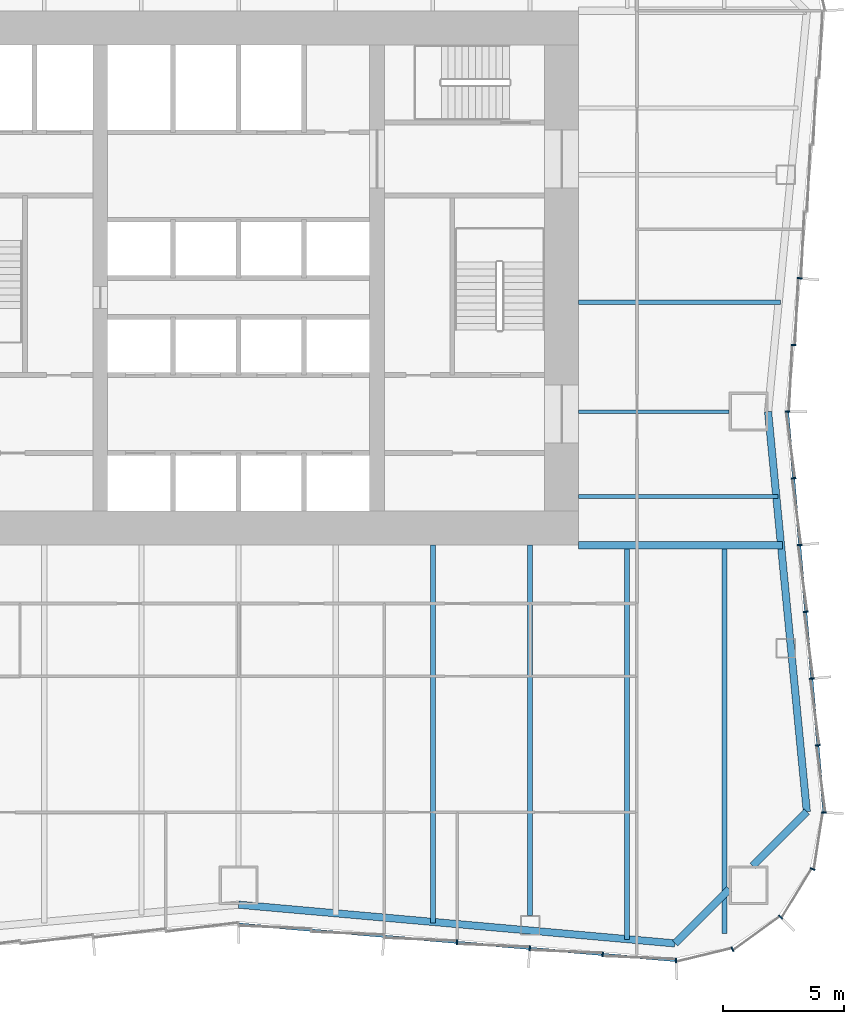
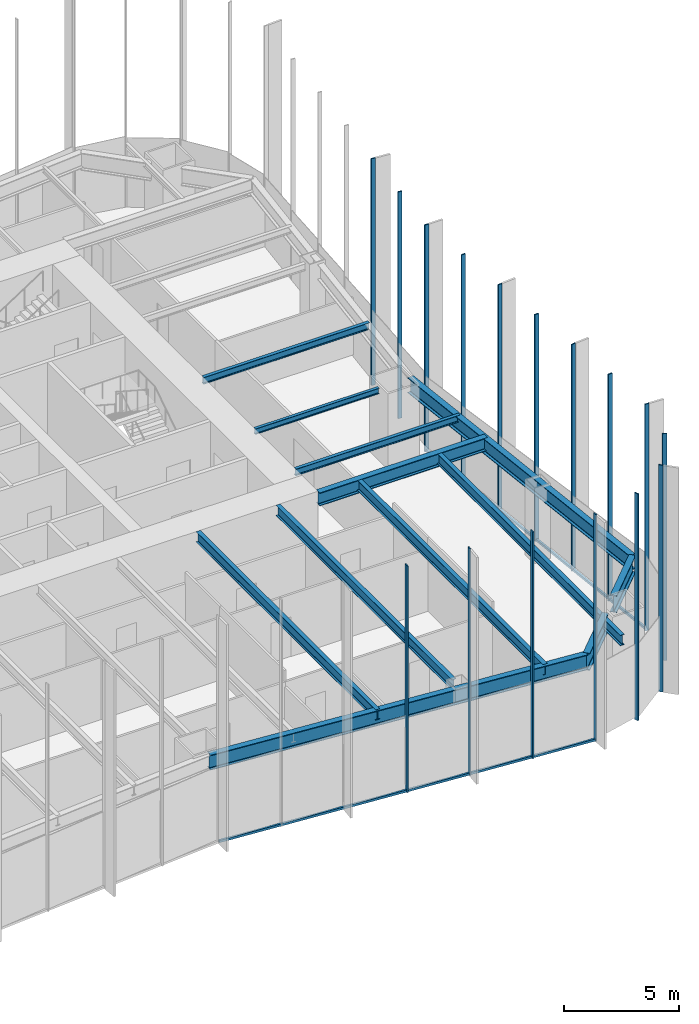
# One storey, part 4 of 13: 18 members, 12 beams, 3 elements without a shape of their own.
"""IFC4 building model written with IfcOpenShell, lengths in metres."""

from ifc_helpers import new_model, si_unit, direction, frame, origin, origin_2d, place, context, subcontext, project, spatial, rectangle, i_section, extrude, material, material_profile, profile_set, type_object, element, aggregate, save


model = new_model("IFC4")

# Units and contexts
model_context = context("Model", 3, precision=1e-05, world=origin(), true_north=direction((0.0, 1.0)))
body_context = subcontext(model_context, "Body", "Model", "MODEL_VIEW")
ifc_project = project(units=[si_unit("LENGTHUNIT", "METRE"), si_unit("AREAUNIT", "SQUARE_METRE"), si_unit("VOLUMEUNIT", "CUBIC_METRE"), si_unit("PLANEANGLEUNIT", "RADIAN"), si_unit("MASSUNIT", "GRAM", prefix="KILO")], contexts=[model_context])

# Site, building, storey
site_placement = place(None, origin())
site = spatial("IfcSite", under=ifc_project, at=site_placement, CompositionType="ELEMENT")
building_placement = place(site_placement, origin())
building = spatial("IfcBuilding", under=site, at=building_placement, Name="Verdant Reach Tower", CompositionType="ELEMENT")
storey_placement = place(building_placement, frame((0.0, 0.0, 14.0)))
storey = spatial("IfcBuildingStorey", under=building, at=storey_placement, Name="L02", CompositionType="ELEMENT", Elevation=14.0)

# Curtain wall, members
ifc_material_1 = material(Name="Anodised aluminium", Category="aluminium")
curtain_wall_type = type_object("IfcCurtainWallType", Name="EN-CW SYSTEM Z0", PredefinedType="NOTDEFINED", material=ifc_material_1)
curtain_wall_1_placement = place(storey_placement, origin())
curtain_wall_1 = element("IfcCurtainWall", 1, at=curtain_wall_1_placement, inside=storey, type_object=curtain_wall_type, Name="Curtain wall south-east corner, L02", PredefinedType="NOTDEFINED")
ifc_material_profile_1 = material_profile(ifc_material_1, rectangle(XDim=0.199951171875, YDim=0.06005859375, at=origin_2d()), Name="Mullion 60x200")
ifc_profile_set_1 = profile_set([ifc_material_profile_1], Name="Anodised aluminium")
member_type_1 = type_object("IfcMemberType", Name="EN-MULLION Z0", PredefinedType="MULLION", material=ifc_profile_set_1)
member_1_placement = place(storey_placement, frame((18.005615234375, -0.099853515625, -0.35009765625), z_axis=(0.0, 0.0, 1.0), x_axis=(0.056569187765, -0.998398681387, 0.0)))
member_1 = element("IfcMember", 2, at=member_1_placement, type_object=member_type_1, Name="Mullion south-east corner 1, L02", PredefinedType="MULLION", context=body_context, shape_type="SweptSolid", body=[
    extrude(rectangle(XDim=0.199951171875, YDim=0.06005859375, at=origin_2d()), origin(), (0.0, 0.0, 1.0), 12.0),
])
member_2_placement = place(storey_placement, frame((20.33447265625, 0.3642578125, -0.35009765625), z_axis=(0.0, 0.0, 1.0), x_axis=(0.382693853776, -0.923875215753, 0.0)))
member_2 = element("IfcMember", 3, at=member_2_placement, type_object=member_type_1, Name="Mullion south-east corner 2, L02", PredefinedType="MULLION", context=body_context, shape_type="SweptSolid", body=[
    extrude(rectangle(XDim=0.199951171875, YDim=0.06005859375, at=origin_2d()), origin(), (0.0, 0.0, 1.0), 12.0),
])
member_3_placement = place(storey_placement, frame((22.313232421875, 1.686767578125, -0.35009765625), z_axis=(0.0, 0.0, 1.0), x_axis=(0.707106781187, -0.707106781187, 0.0)))
member_3 = element("IfcMember", 4, at=member_3_placement, type_object=member_type_1, Name="Mullion south-east corner 3, L02", PredefinedType="MULLION", context=body_context, shape_type="SweptSolid", body=[
    extrude(rectangle(XDim=0.199951171875, YDim=0.06005859375, at=origin_2d()), origin(), (0.0, 0.0, 1.0), 12.0),
])
member_4_placement = place(storey_placement, frame((23.6357421875, 3.66552734375, -0.35009765625), z_axis=(0.0, 0.0, 1.0), x_axis=(0.923875215753, -0.382693853776, 0.0)))
member_4 = element("IfcMember", 5, at=member_4_placement, type_object=member_type_1, Name="Mullion south-east corner 4, L02", PredefinedType="MULLION", context=body_context, shape_type="SweptSolid", body=[
    extrude(rectangle(XDim=0.199951171875, YDim=0.06005859375, at=origin_2d()), origin(), (0.0, 0.0, 1.0), 12.0),
])
aggregate(curtain_wall_1, [member_1, member_2, member_3, member_4])

curtain_wall_2_placement = place(storey_placement, origin())
curtain_wall_2 = element("IfcCurtainWall", 6, at=curtain_wall_2_placement, inside=storey, type_object=curtain_wall_type, Name="Curtain wall east, L02", PredefinedType="NOTDEFINED")
member_5_placement = place(storey_placement, frame((24.099853515625, 5.99462890625, -0.35009765625), z_axis=(0.0, 0.0, 1.0), x_axis=(0.998604288049, -0.052815489107, 0.0)))
member_5 = element("IfcMember", 7, at=member_5_placement, type_object=member_type_1, Name="Mullion east face part 1 1, L02", PredefinedType="MULLION", context=body_context, shape_type="SweptSolid", body=[
    extrude(rectangle(XDim=0.199951171875, YDim=0.06005859375, at=origin_2d()), origin(), (0.0, 0.0, 1.0), 12.0),
])
member_6_placement = place(storey_placement, frame((23.849609375, 8.759033203125, -0.35009765625), z_axis=(0.0, 0.0, 1.0), x_axis=(0.995893206467, 0.090535746047, 0.0)))
member_6 = element("IfcMember", 8, at=member_6_placement, type_object=member_type_1, Name="Mullion east face part 1 2, L02", PredefinedType="MULLION", context=body_context, shape_type="SweptSolid", body=[
    extrude(rectangle(XDim=0.199951171875, YDim=0.06005859375, at=origin_2d()), origin(), (0.0, 0.0, 1.0), 12.0),
])
member_7_placement = place(storey_placement, frame((23.599609375, 11.509033203125, -0.35009765625), z_axis=(0.0, 0.0, 1.0), x_axis=(0.995893206467, 0.090535746047, 0.0)))
member_7 = element("IfcMember", 9, at=member_7_placement, type_object=member_type_1, Name="Mullion east face part 1 3, L02", PredefinedType="MULLION", context=body_context, shape_type="SweptSolid", body=[
    extrude(rectangle(XDim=0.199951171875, YDim=0.06005859375, at=origin_2d()), origin(), (0.0, 0.0, 1.0), 12.0),
])
member_8_placement = place(storey_placement, frame((23.349609375, 14.259033203125, -0.35009765625), z_axis=(0.0, 0.0, 1.0), x_axis=(0.995893206467, 0.090535746047, 0.0)))
member_8 = element("IfcMember", 10, at=member_8_placement, type_object=member_type_1, Name="Mullion east face part 1 4, L02", PredefinedType="MULLION", context=body_context, shape_type="SweptSolid", body=[
    extrude(rectangle(XDim=0.199951171875, YDim=0.06005859375, at=origin_2d()), origin(), (0.0, 0.0, 1.0), 12.0),
])
member_9_placement = place(storey_placement, frame((23.099609375, 17.009033203125, -0.35009765625), z_axis=(0.0, 0.0, 1.0), x_axis=(0.995893206467, 0.090535746047, 0.0)))
member_9 = element("IfcMember", 11, at=member_9_placement, type_object=member_type_1, Name="Mullion east face part 1 5, L02", PredefinedType="MULLION", context=body_context, shape_type="SweptSolid", body=[
    extrude(rectangle(XDim=0.199951171875, YDim=0.06005859375, at=origin_2d()), origin(), (0.0, 0.0, 1.0), 12.0),
])
member_10_placement = place(storey_placement, frame((22.849609375, 19.759033203125, -0.35009765625), z_axis=(0.0, 0.0, 1.0), x_axis=(0.995893206467, 0.090535746047, 0.0)))
member_10 = element("IfcMember", 12, at=member_10_placement, type_object=member_type_1, Name="Mullion east face part 1 6, L02", PredefinedType="MULLION", context=body_context, shape_type="SweptSolid", body=[
    extrude(rectangle(XDim=0.199951171875, YDim=0.06005859375, at=origin_2d()), origin(), (0.0, 0.0, 1.0), 12.0),
])
member_11_placement = place(storey_placement, frame((22.60009765625, 22.5, -0.35009765625), z_axis=(0.0, 0.0, 1.0), x_axis=(1.0, 0.0, 0.0)))
member_11 = element("IfcMember", 13, at=member_11_placement, type_object=member_type_1, Name="Mullion east face part 2 1, L02", PredefinedType="MULLION", context=body_context, shape_type="SweptSolid", body=[
    extrude(rectangle(XDim=0.199951171875, YDim=0.06005859375, at=origin_2d()), origin(), (0.0, 0.0, 1.0), 12.0),
])
member_12_placement = place(storey_placement, frame((22.849609375, 25.240966796875, -0.35009765625), z_axis=(0.0, 0.0, 1.0), x_axis=(0.995893206467, -0.090535746047, 0.0)))
member_12 = element("IfcMember", 14, at=member_12_placement, type_object=member_type_1, Name="Mullion east face part 2 2, L02", PredefinedType="MULLION", context=body_context, shape_type="SweptSolid", body=[
    extrude(rectangle(XDim=0.199951171875, YDim=0.06005859375, at=origin_2d()), origin(), (0.0, 0.0, 1.0), 12.0),
])
member_13_placement = place(storey_placement, frame((23.099609375, 27.990966796875, -0.35009765625), z_axis=(0.0, 0.0, 1.0), x_axis=(0.995893206467, -0.090535746047, 0.0)))
member_13 = element("IfcMember", 15, at=member_13_placement, type_object=member_type_1, Name="Mullion east face part 2 3, L02", PredefinedType="MULLION", context=body_context, shape_type="SweptSolid", body=[
    extrude(rectangle(XDim=0.199951171875, YDim=0.06005859375, at=origin_2d()), origin(), (0.0, 0.0, 1.0), 12.0),
])

curtain_wall_3_placement = place(storey_placement, origin())
curtain_wall_3 = element("IfcCurtainWall", 16, at=curtain_wall_3_placement, inside=storey, type_object=curtain_wall_type, Name="Curtain wall south, L02", PredefinedType="NOTDEFINED")
member_14_placement = place(storey_placement, frame((8.99169921875, 0.650390625, -0.35009765625), z_axis=(0.0, 0.0, 1.0), x_axis=(-0.083045479859, -0.996545758244, 0.0)))
member_14 = element("IfcMember", 17, at=member_14_placement, type_object=member_type_1, Name="Mullion south face part 2 4, L02", PredefinedType="MULLION", context=body_context, shape_type="SweptSolid", body=[
    extrude(rectangle(XDim=0.199951171875, YDim=0.06005859375, at=origin_2d()), origin(), (0.0, 0.0, 1.0), 12.0),
])
member_15_placement = place(storey_placement, frame((11.99169921875, 0.400390625, -0.35009765625), z_axis=(0.0, 0.0, 1.0), x_axis=(-0.083045479859, -0.996545758244, 0.0)))
member_15 = element("IfcMember", 18, at=member_15_placement, type_object=member_type_1, Name="Mullion south face part 2 5, L02", PredefinedType="MULLION", context=body_context, shape_type="SweptSolid", body=[
    extrude(rectangle(XDim=0.199951171875, YDim=0.06005859375, at=origin_2d()), origin(), (0.0, 0.0, 1.0), 12.0),
])
member_16_placement = place(storey_placement, frame((14.99169921875, 0.150390625, -0.35009765625), z_axis=(0.0, 0.0, 1.0), x_axis=(-0.083045479859, -0.996545758244, 0.0)))
member_16 = element("IfcMember", 19, at=member_16_placement, type_object=member_type_1, Name="Mullion south face part 2 6, L02", PredefinedType="MULLION", context=body_context, shape_type="SweptSolid", body=[
    extrude(rectangle(XDim=0.199951171875, YDim=0.06005859375, at=origin_2d()), origin(), (0.0, 0.0, 1.0), 12.0),
])

# Member
ifc_material_profile_2 = material_profile(ifc_material_1, rectangle(XDim=0.10009765625, YDim=0.1201171875, at=origin_2d()), Name="Transom 120x100")
ifc_profile_set_2 = profile_set([ifc_material_profile_2], Name="Anodised aluminium")
member_type_2 = type_object("IfcMemberType", Name="EN-TRANSOM Z0", PredefinedType="USERDEFINED", material=ifc_profile_set_2)
member_17_placement = place(storey_placement, frame((24.09716796875, 6.024658203125, -0.2900390625), z_axis=(-0.090495755184, 0.995896841191, 0.0), x_axis=(-0.995896841191, -0.090495755184, 0.0)))
member_17 = element("IfcMember", 20, at=member_17_placement, type_object=member_type_2, Name="Transom east face part 1 1.1, L02", ObjectType="TRANSOM", PredefinedType="USERDEFINED", context=body_context, shape_type="SweptSolid", body=[
    extrude(rectangle(XDim=0.10009765625, YDim=0.1201171875, at=origin_2d()), origin(), (0.0, 0.0, 1.0), 16.513427734375),
])

aggregate(curtain_wall_2, [member_5, member_6, member_7, member_8, member_9, member_10, member_17, member_11, member_12, member_13])

member_18_placement = place(storey_placement, frame((0.02978515625, 1.3974609375, -0.2900390625), z_axis=(0.996548656072, -0.083010698588, 0.0), x_axis=(0.083010698588, 0.996548656072, 0.0)))
member_18 = element("IfcMember", 21, at=member_18_placement, type_object=member_type_2, Name="Transom south face part 2 1.1, L02", ObjectType="TRANSOM", PredefinedType="USERDEFINED", context=body_context, shape_type="SweptSolid", body=[
    extrude(rectangle(XDim=0.10009765625, YDim=0.1201171875, at=origin_2d()), origin(), (0.0, 0.0, 1.0), 18.00830078125),
])

aggregate(curtain_wall_3, [member_14, member_15, member_16, member_18])

# Beams
ifc_material_2 = material(Name="Steel S355", Category="steel")
ifc_material_profile_3 = material_profile(ifc_material_2, i_section(OverallWidth=0.300048828125, OverallDepth=0.699951171875, WebThickness=0.01708984375, FlangeThickness=0.031982421875, FilletRadius=0.027099609375, at=origin_2d()), Name="HEB 700")
ifc_profile_set_3 = profile_set([ifc_material_profile_3], Name="Steel S355")
beam_type_1 = type_object("IfcBeamType", Name="ST-BEAM-HEB700", PredefinedType="BEAM", material=ifc_profile_set_3)
beam_1_placement = place(storey_placement, frame((14.0, 17.0, 3.52001953125), z_axis=(1.0, 0.0, 0.0), x_axis=(0.0, 1.0, 0.0)))
element("IfcBeam", 22, at=beam_1_placement, inside=storey, type_object=beam_type_1, Name="Trimmer beam, L02", PredefinedType="BEAM", context=body_context, shape_type="SweptSolid", body=[
    extrude(i_section(OverallWidth=0.300048828125, OverallDepth=0.699951171875, WebThickness=0.01708984375, FlangeThickness=0.031982421875, FilletRadius=0.027099609375, at=origin_2d()), origin(), (0.0, 0.0, 1.0), 8.3974609375),
])
ifc_material_profile_4 = material_profile(ifc_material_2, i_section(OverallWidth=0.14990234375, OverallDepth=0.300048828125, WebThickness=0.007080078125, FlangeThickness=0.0107421875, FilletRadius=0.014892578125, at=origin_2d()), Name="IPE 300")
ifc_profile_set_4 = profile_set([ifc_material_profile_4], Name="Steel S355")
beam_type_2 = type_object("IfcBeamType", Name="ST-JOIST-IPE300", PredefinedType="JOIST", material=ifc_profile_set_4)
beam_2_placement = place(storey_placement, frame((14.0, 22.5, 3.719970703125), z_axis=(1.0, 0.0, 0.0), x_axis=(0.0, 1.0, 0.0)))
element("IfcBeam", 23, at=beam_2_placement, inside=storey, type_object=beam_type_2, Name="Floor joist, L02", PredefinedType="JOIST", context=body_context, shape_type="SweptSolid", body=[
    extrude(i_section(OverallWidth=0.14990234375, OverallDepth=0.300048828125, WebThickness=0.007080078125, FlangeThickness=0.0107421875, FilletRadius=0.014892578125, at=origin_2d()), origin(), (0.0, 0.0, 1.0), 6.199951171875),
])
ifc_material_profile_5 = material_profile(ifc_material_2, i_section(OverallWidth=0.169921875, OverallDepth=0.360107421875, WebThickness=0.008056640625, FlangeThickness=0.0126953125, FilletRadius=0.01806640625, at=origin_2d()), Name="IPE 360")
ifc_profile_set_5 = profile_set([ifc_material_profile_5], Name="Steel S355")
beam_type_3 = type_object("IfcBeamType", Name="ST-JOIST-IPE360", PredefinedType="JOIST", material=ifc_profile_set_5)
beam_3_placement = place(storey_placement, frame((14.0, 19.0, 3.68994140625), z_axis=(1.0, 0.0, 0.0), x_axis=(0.0, 1.0, 0.0)))
element("IfcBeam", 24, at=beam_3_placement, inside=storey, type_object=beam_type_3, Name="Floor joist, L02", PredefinedType="JOIST", context=body_context, shape_type="SweptSolid", body=[
    extrude(i_section(OverallWidth=0.169921875, OverallDepth=0.360107421875, WebThickness=0.008056640625, FlangeThickness=0.0126953125, FilletRadius=0.01806640625, at=origin_2d()), origin(), (0.0, 0.0, 1.0), 8.2158203125),
])
beam_4_placement = place(storey_placement, frame((14.0, 27.0, 3.68994140625), z_axis=(1.0, 0.0, 0.0), x_axis=(0.0, 1.0, 0.0)))
element("IfcBeam", 25, at=beam_4_placement, inside=storey, type_object=beam_type_3, Name="Floor joist, L02", PredefinedType="JOIST", context=body_context, shape_type="SweptSolid", body=[
    extrude(i_section(OverallWidth=0.169921875, OverallDepth=0.360107421875, WebThickness=0.008056640625, FlangeThickness=0.0126953125, FilletRadius=0.01806640625, at=origin_2d()), origin(), (0.0, 0.0, 1.0), 8.306640625),
])
ifc_material_profile_6 = material_profile(ifc_material_2, i_section(OverallWidth=0.2099609375, OverallDepth=0.550048828125, WebThickness=0.010986328125, FlangeThickness=0.01708984375, FilletRadius=0.02392578125, at=origin_2d()), Name="IPE 550")
ifc_profile_set_6 = profile_set([ifc_material_profile_6], Name="Steel S355")
beam_type_4 = type_object("IfcBeamType", Name="ST-JOIST-IPE550", PredefinedType="JOIST", material=ifc_profile_set_6)
beam_5_placement = place(storey_placement, frame((8.0, 17.0, 3.594970703125), z_axis=(0.0, -1.0, 0.0), x_axis=(1.0, 0.0, 0.0)))
element("IfcBeam", 26, at=beam_5_placement, inside=storey, type_object=beam_type_4, Name="Floor joist, L02", PredefinedType="JOIST", context=body_context, shape_type="SweptSolid", body=[
    extrude(i_section(OverallWidth=0.2099609375, OverallDepth=0.550048828125, WebThickness=0.010986328125, FlangeThickness=0.01708984375, FilletRadius=0.02392578125, at=origin_2d()), origin(), (0.0, 0.0, 1.0), 15.564697265625),
])
beam_6_placement = place(storey_placement, frame((12.0, 17.0, 3.594970703125), z_axis=(0.0, -1.0, 0.0), x_axis=(1.0, 0.0, 0.0)))
element("IfcBeam", 27, at=beam_6_placement, inside=storey, type_object=beam_type_4, Name="Floor joist, L02", PredefinedType="JOIST", context=body_context, shape_type="SweptSolid", body=[
    extrude(i_section(OverallWidth=0.2099609375, OverallDepth=0.550048828125, WebThickness=0.010986328125, FlangeThickness=0.01708984375, FilletRadius=0.02392578125, at=origin_2d()), origin(), (0.0, 0.0, 1.0), 15.25),
])
beam_7_placement = place(storey_placement, frame((16.0, 16.89990234375, 3.594970703125), z_axis=(0.0, -1.0, 0.0), x_axis=(1.0, 0.0, 0.0)))
element("IfcBeam", 28, at=beam_7_placement, inside=storey, type_object=beam_type_4, Name="Floor joist, L02", PredefinedType="JOIST", context=body_context, shape_type="SweptSolid", body=[
    extrude(i_section(OverallWidth=0.2099609375, OverallDepth=0.550048828125, WebThickness=0.010986328125, FlangeThickness=0.01708984375, FilletRadius=0.02392578125, at=origin_2d()), origin(), (0.0, 0.0, 1.0), 16.131103515625),
])
beam_8_placement = place(storey_placement, frame((20.0, 16.89990234375, 3.594970703125), z_axis=(0.0, -1.0, 0.0), x_axis=(1.0, 0.0, 0.0)))
element("IfcBeam", 29, at=beam_8_placement, inside=storey, type_object=beam_type_4, Name="Floor joist, L02", PredefinedType="JOIST", context=body_context, shape_type="SweptSolid", body=[
    extrude(i_section(OverallWidth=0.2099609375, OverallDepth=0.550048828125, WebThickness=0.010986328125, FlangeThickness=0.01708984375, FilletRadius=0.02392578125, at=origin_2d()), origin(), (0.0, 0.0, 1.0), 15.890380859375),
])
ifc_material_profile_7 = material_profile(ifc_material_2, i_section(OverallWidth=0.300048828125, OverallDepth=0.800048828125, WebThickness=0.017578125, FlangeThickness=0.032958984375, FilletRadius=0.030029296875, at=origin_2d()), Name="HEB 800")
ifc_profile_set_7 = profile_set([ifc_material_profile_7], Name="Steel S355")
beam_type_5 = type_object("IfcBeamType", Name="ST-SPANDREL-HEB800", PredefinedType="SPANDREL", material=ifc_profile_set_7)
beam_9_placement = place(storey_placement, frame((17.9658203125, 0.60498046875, 3.469970703125), z_axis=(-0.996082370463, 0.088430262084, 0.0), x_axis=(-0.088430262084, -0.996082370463, 0.0)))
element("IfcBeam", 30, at=beam_9_placement, inside=storey, type_object=beam_type_5, Name="Edge beam, L02", PredefinedType="SPANDREL", context=body_context, shape_type="SweptSolid", body=[
    extrude(i_section(OverallWidth=0.300048828125, OverallDepth=0.800048828125, WebThickness=0.017578125, FlangeThickness=0.032958984375, FilletRadius=0.030029296875, at=origin_2d()), origin(), (0.0, 0.0, 1.0), 18.036376953125),
])
beam_10_placement = place(storey_placement, frame((21.800048828125, 22.5, 3.469970703125), z_axis=(0.096372296695, -0.995345357366, 0.0), x_axis=(0.995345357366, 0.096372296695, 0.0)))
element("IfcBeam", 31, at=beam_10_placement, inside=storey, type_object=beam_type_5, Name="Edge beam, L02", PredefinedType="SPANDREL", context=body_context, shape_type="SweptSolid", body=[
    extrude(i_section(OverallWidth=0.300048828125, OverallDepth=0.800048828125, WebThickness=0.017578125, FlangeThickness=0.032958984375, FilletRadius=0.030029296875, at=origin_2d()), origin(), (0.0, 0.0, 1.0), 16.544921875),
])
ifc_material_profile_8 = material_profile(ifc_material_2, i_section(OverallWidth=0.302001953125, OverallDepth=0.909912109375, WebThickness=0.02099609375, FlangeThickness=0.0400390625, FilletRadius=0.030029296875, at=origin_2d()), Name="HEM 900")
ifc_profile_set_8 = profile_set([ifc_material_profile_8], Name="Steel S355")
beam_type_6 = type_object("IfcBeamType", Name="ST-SPANDREL-HEM900", PredefinedType="SPANDREL", material=ifc_profile_set_8)
beam_11_placement = place(storey_placement, frame((23.39453125, 6.031982421875, 3.4150390625), z_axis=(-0.70722277322, -0.706990770123, 0.0), x_axis=(0.706990770123, -0.70722277322, 0.0)))
element("IfcBeam", 32, at=beam_11_placement, inside=storey, type_object=beam_type_6, Name="Edge beam, L02", PredefinedType="SPANDREL", context=body_context, shape_type="SweptSolid", body=[
    extrude(i_section(OverallWidth=0.302001953125, OverallDepth=0.909912109375, WebThickness=0.02099609375, FlangeThickness=0.0400390625, FilletRadius=0.030029296875, at=origin_2d()), origin(), (0.0, 0.0, 1.0), 3.156982421875),
])
beam_12_placement = place(storey_placement, frame((20.199951171875, 2.83837890625, 3.4150390625), z_axis=(-0.707222697162, -0.706990846206, 0.0), x_axis=(0.706990846206, -0.707222697162, 0.0)))
element("IfcBeam", 33, at=beam_12_placement, inside=storey, type_object=beam_type_6, Name="Edge beam, L02", PredefinedType="SPANDREL", context=body_context, shape_type="SweptSolid", body=[
    extrude(i_section(OverallWidth=0.302001953125, OverallDepth=0.909912109375, WebThickness=0.02099609375, FlangeThickness=0.0400390625, FilletRadius=0.030029296875, at=origin_2d()), origin(), (0.0, 0.0, 1.0), 3.158935546875),
])

save(model, "model.ifc")
